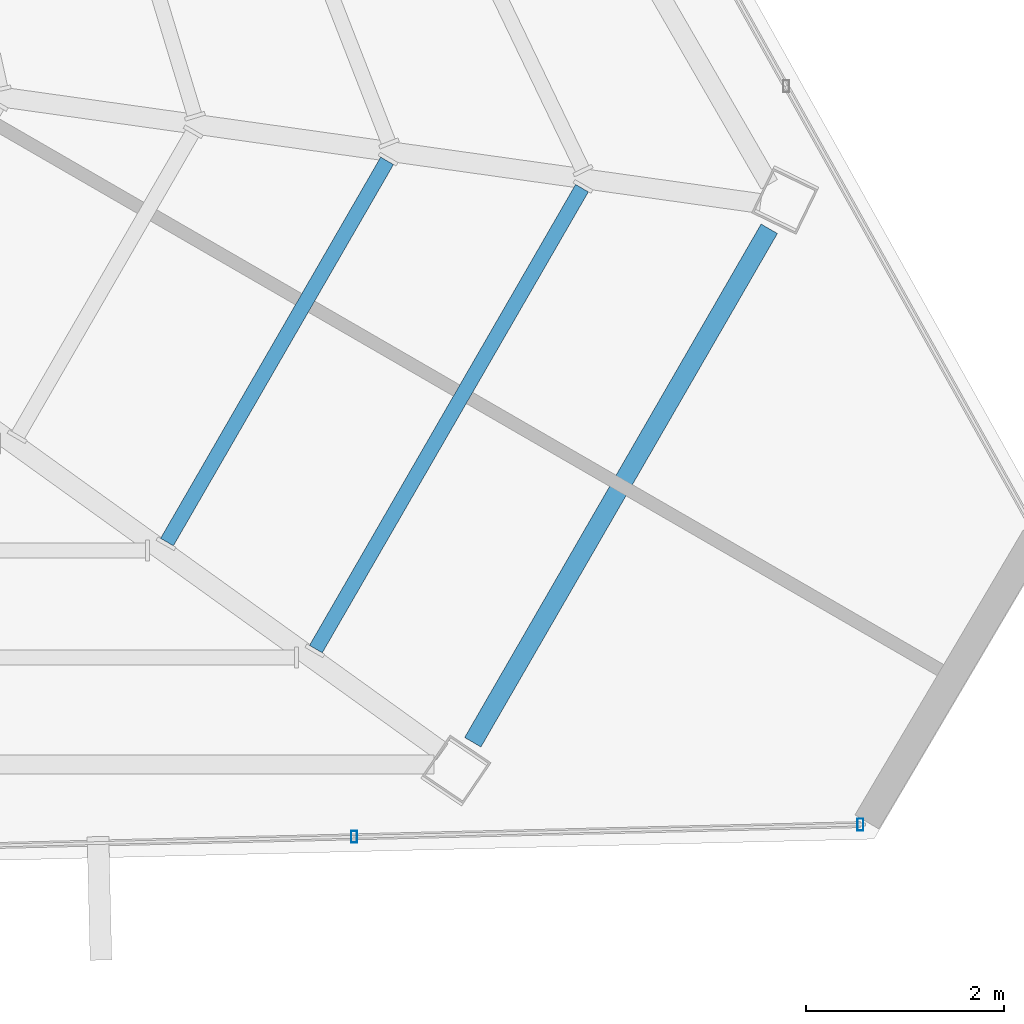
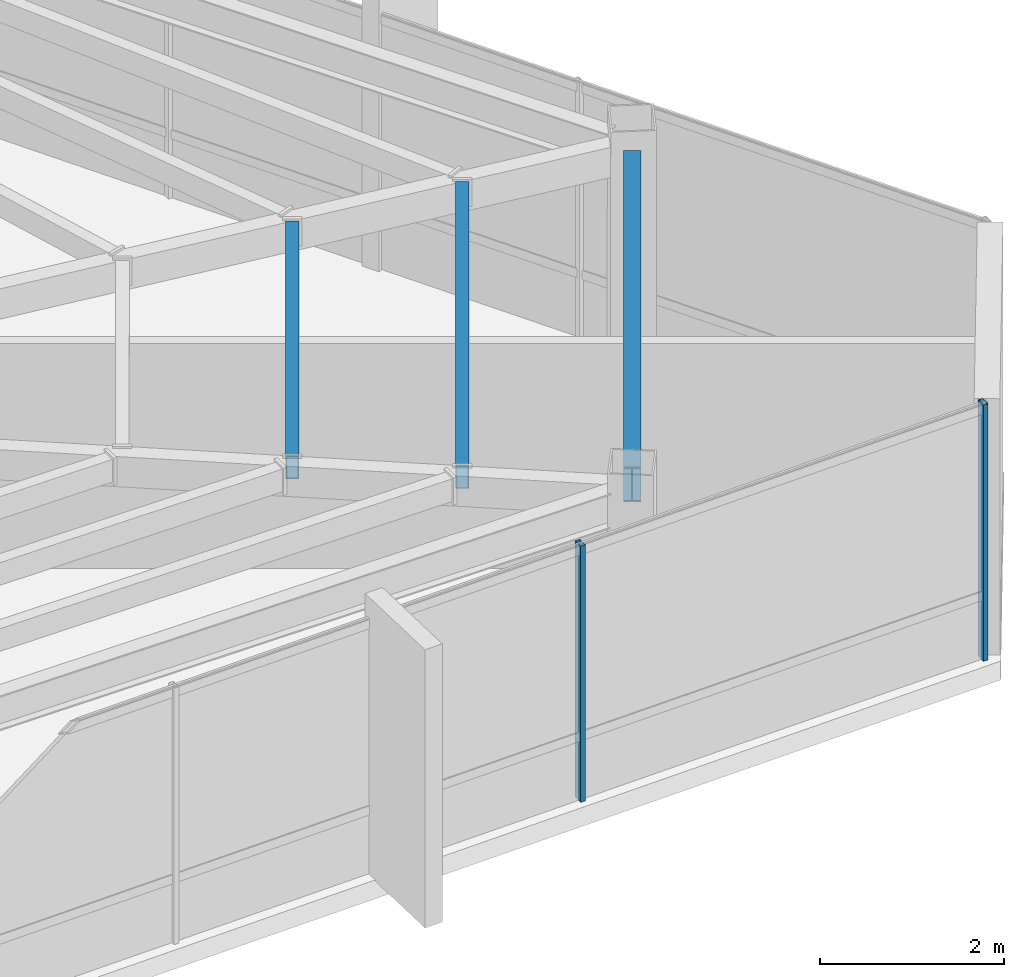
# One storey, part 23 of 48: 3 beams, 2 members, 1 element without a shape of its own.
"""IFC4 building model written with IfcOpenShell, lengths in metres."""

from ifc_helpers import new_model, si_unit, direction, frame, origin, origin_2d, place, context, subcontext, project, spatial, hollow_rectangle, i_section, extrude, source, transform, mapped, material, material_profile, profile_set, type_object, type_shapes, element, aggregate, save


model = new_model("IFC4")

# Units and contexts
model_context = context("Model", 3, precision=1e-05, world=origin(), true_north=direction((0.0, 1.0)))
body_context = subcontext(model_context, "Body", "Model", "MODEL_VIEW")
ifc_project = project(units=[si_unit("LENGTHUNIT", "METRE"), si_unit("AREAUNIT", "SQUARE_METRE"), si_unit("VOLUMEUNIT", "CUBIC_METRE"), si_unit("PLANEANGLEUNIT", "RADIAN"), si_unit("MASSUNIT", "GRAM", prefix="KILO")], contexts=[model_context])

# Site, building, storey
site_placement = place(None, origin())
site = spatial("IfcSite", under=ifc_project, at=site_placement, CompositionType="ELEMENT")
building_placement = place(site_placement, origin())
building = spatial("IfcBuilding", under=site, at=building_placement, Name="Caelisora Broadcast Tower", CompositionType="ELEMENT")
storey_placement = place(building_placement, frame((0.0, 0.0, 277.300048828125)))
storey = spatial("IfcBuildingStorey", under=building, at=storey_placement, Name="L73", CompositionType="ELEMENT", Elevation=277.300048828125)

# Beams
ifc_material_1 = material(Name="Steel Grade 350 (AS/NZS 3679.1)", Category="steel")
ifc_material_profile_1 = material_profile(ifc_material_1, i_section(OverallWidth=0.19091796875, OverallDepth=0.46044921875, WebThickness=0.010009765625, FlangeThickness=0.01611328125, at=origin_2d()), Name="Steel Grade 350 (AS/NZS 3679.1)")
ifc_profile_set_1 = profile_set([ifc_material_profile_1], Name="Steel Grade 350 (AS/NZS 3679.1)")
beam_type_1 = type_object("IfcBeamType", Name="PG06", PredefinedType="BEAM", material=ifc_profile_set_1)
shared_shape_1 = source(origin(), body_context, "Body", "SweptSolid", [
    extrude(i_section(OverallWidth=0.19091796875, OverallDepth=0.46044921875, WebThickness=0.010009765625, FlangeThickness=0.01611328125, at=origin_2d()), origin(), (0.0, 0.0, 1.0), 5.9990234375),
])
type_shapes(beam_type_1, [shared_shape_1])
beam_1_placement = place(storey_placement, frame((56.174560546875, 10.04345703125, 3.169677734375), z_axis=(0.499999580976, 0.866025645708, 0.0), x_axis=(-0.866025645708, 0.499999580976, 0.0)))
element("IfcBeam", 1, at=beam_1_placement, inside=storey, type_object=beam_type_1, Name="L73 beam PG06", PredefinedType="BEAM", context=body_context, shape_type="MappedRepresentation", body=[
    mapped(shared_shape_1, transform((0.0, 0.0, 0.0), scale=1.0)),
])
ifc_material_2 = material(Name="Steel Grade 350 (AS/NZS 1163 C350L0)", Category="steel")
ifc_material_profile_2 = material_profile(ifc_material_2, hollow_rectangle(XDim=0.14990234375, YDim=0.300048828125, WallThickness=0.010009765625, at=origin_2d()), Name="Steel Grade 350 (AS/NZS 1163 C350L0)")
ifc_profile_set_2 = profile_set([ifc_material_profile_2], Name="Steel Grade 350 (AS/NZS 1163 C350L0)")
beam_type_2 = type_object("IfcBeamType", Name="SB05", PredefinedType="JOIST", material=ifc_profile_set_2)
shared_shape_2 = source(origin(), body_context, "Body", "SweptSolid", [
    extrude(hollow_rectangle(XDim=0.14990234375, YDim=0.300048828125, WallThickness=0.010009765625, at=origin_2d()), origin(), (0.0, 0.0, 1.0), 4.4541015625),
])
beam_2_placement = place(storey_placement, frame((53.08056640625, 12.06884765625, 3.25), z_axis=(0.499994480982, 0.866028590168, 0.0), x_axis=(-0.866028590168, 0.499994480982, 0.0)))
element("IfcBeam", 2, at=beam_2_placement, inside=storey, type_object=beam_type_2, Name="L73 beam SB05", PredefinedType="JOIST", context=body_context, shape_type="MappedRepresentation", body=[
    mapped(shared_shape_2, transform((0.0, 0.0, 0.0), scale=1.0)),
])
shared_shape_3 = source(origin(), body_context, "Body", "SweptSolid", [
    extrude(hollow_rectangle(XDim=0.14990234375, YDim=0.300048828125, WallThickness=0.010009765625, at=origin_2d()), origin(), (0.0, 0.0, 1.0), 5.38525390625),
])
type_shapes(beam_type_2, [shared_shape_2, shared_shape_3])
beam_3_placement = place(storey_placement, frame((54.5869140625, 10.98583984375, 3.25), z_axis=(0.499995845334, 0.866027802468, 0.0), x_axis=(-0.866027802468, 0.499995845334, 0.0)))
element("IfcBeam", 3, at=beam_3_placement, inside=storey, type_object=beam_type_2, Name="L73 beam SB05", PredefinedType="JOIST", context=body_context, shape_type="MappedRepresentation", body=[
    mapped(shared_shape_3, transform((0.0, 0.0, 0.0), scale=1.0)),
])

# Curtain wall, members
ifc_material_3 = material(Name="Unitised Aluminium and Low-E Glass Curtain Wall", Category="glass")
curtain_wall_type = type_object("IfcCurtainWallType", Name="CW-Z5", PredefinedType="NOTDEFINED", material=ifc_material_3)
curtain_wall_placement = place(storey_placement, origin())
curtain_wall = element("IfcCurtainWall", 4, at=curtain_wall_placement, inside=storey, type_object=curtain_wall_type, Name="L73 curtain wall CW-Z5", PredefinedType="NOTDEFINED")
ifc_material_4 = material(Name="Aluminium 6063-T6 Anodised Terracotta Bronze", Category="aluminium")
ifc_material_profile_3 = material_profile(ifc_material_4, hollow_rectangle(XDim=0.06005859375, YDim=0.1201171875, WallThickness=0.0029296875, at=origin_2d()), Name="Aluminium 6063-T6 Anodised Terracotta Bronze")
ifc_profile_set_3 = profile_set([ifc_material_profile_3], Name="Aluminium 6063-T6 Anodised Terracotta Bronze")
member_type = type_object("IfcMemberType", Name="CWM-04", PredefinedType="MULLION", material=ifc_profile_set_3)
shared_shape_4 = source(origin(), body_context, "Body", "SweptSolid", [
    extrude(hollow_rectangle(XDim=0.06005859375, YDim=0.1201171875, WallThickness=0.0029296875, at=origin_2d()), origin(), (0.0, 0.0, 1.0), 3.39990234375),
])
type_shapes(member_type, [shared_shape_4])
member_1_placement = place(storey_placement, frame((60.096923828125, 9.210693359375, 0.0), z_axis=(0.0, 0.0, 1.0), x_axis=(1.0, 0.0, 0.0)))
member_1 = element("IfcMember", 5, at=member_1_placement, type_object=member_type, Name="L73-CW-B05 mullion #0", PredefinedType="MULLION", context=body_context, shape_type="MappedRepresentation", body=[
    mapped(shared_shape_4, transform((0.0, 0.0, 0.0), scale=1.0)),
])
member_2_placement = place(storey_placement, frame((54.97314453125, 9.086669921875, 0.0), z_axis=(0.0, 0.0, 1.0), x_axis=(1.0, 0.0, 0.0)))
member_2 = element("IfcMember", 6, at=member_2_placement, type_object=member_type, Name="L73-CW-B05 mullion #1", PredefinedType="MULLION", context=body_context, shape_type="MappedRepresentation", body=[
    mapped(shared_shape_4, transform((0.0, 0.0, 0.0), scale=1.0)),
])
aggregate(curtain_wall, [member_1, member_2])

save(model, "model.ifc")
